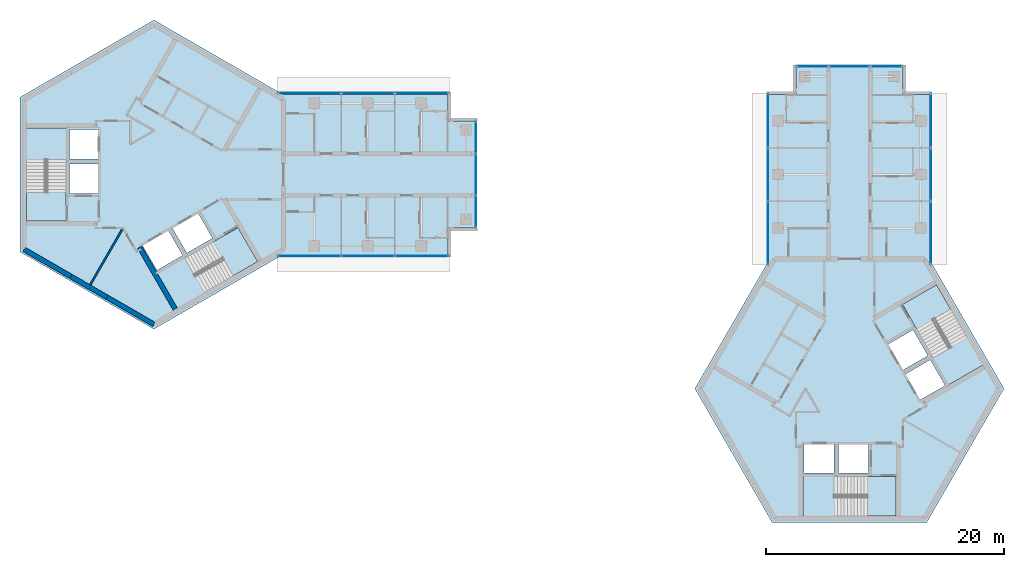
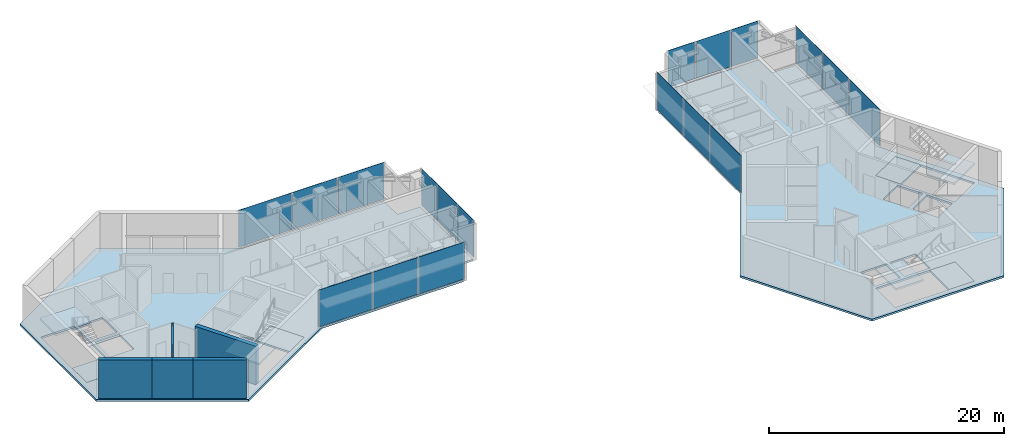
# One storey, part 4 of 11: 18 plates, 10 slabs, 5 walls, 10 elements without a shape of their own.
"""IFC4 building model written with IfcOpenShell, lengths in metres."""

import ifcopenshell
import ifcopenshell.guid

model = None  # the IFC model being written
_history = None  # IfcOwnerHistory: only IFC2X3 demands one
_inside = {}  # id of a spatial element -> (the spatial element, [elements in it])
_under = {}  # id of a project, library or spatial element -> (it, [spatial elements below it])
_declared = {}  # id of a project -> (the project, [libraries it declares])
_typed = {}  # id of a type object -> (the type object, [elements of that type])
_made_of = {}  # id of a material, layer set ... -> (it, [elements and type objects made of it])


def new_model(schema):
    """Start an empty IFC model of exactly this schema.

    Asked for "IFC4X3", IfcOpenShell would pick the latest addendum, in which some entities
    have other attributes; the version numbers below select the first issue.
    IFC2X3 requires an IfcOwnerHistory on every rooted entity: one is made here for all.
    """
    global model, _history
    if schema == "IFC4X3":
        model = ifcopenshell.file(schema_version=(4, 3, 0, 0))
    else:
        model = ifcopenshell.file(schema=schema)
    _inside.clear()
    _under.clear()
    _declared.clear()
    _typed.clear()
    _made_of.clear()
    _history = None
    if model.schema == "IFC2X3":
        org = make("IfcOrganization", Name="unknown")
        user = make(
            "IfcPersonAndOrganization",
            ThePerson=make("IfcPerson", FamilyName="unknown"),
            TheOrganization=org,
        )
        app = make(
            "IfcApplication",
            ApplicationDeveloper=org,
            Version="unknown",
            ApplicationFullName="unknown",
            ApplicationIdentifier="unknown",
        )
        _history = make(
            "IfcOwnerHistory",
            OwningUser=user,
            OwningApplication=app,
            ChangeAction="ADDED",
            CreationDate=0,
        )
    return model


def make(cls, **values):
    """One entity of the class cls with the attributes given. An attribute that is None is left unset."""
    return model.create_entity(
        cls, **{name: value for name, value in values.items() if value is not None}
    )


def rooted(cls, **values):
    """An entity with a GlobalId (a new one), such as an element, a storey or a relation."""
    return make(cls, GlobalId=ifcopenshell.guid.new(), OwnerHistory=_history, **values)


def si_unit(unit_type, name, prefix=None):
    """IfcSIUnit, for example si_unit("LENGTHUNIT", "METRE", prefix="MILLI")."""
    return make("IfcSIUnit", UnitType=unit_type, Prefix=prefix, Name=name)


def assignment(units):
    """IfcUnitAssignment: the units of a project."""
    return None if units is None else make("IfcUnitAssignment", Units=units)


def point(xyz):
    """IfcCartesianPoint."""
    return None if xyz is None else make("IfcCartesianPoint", Coordinates=xyz)


def direction(xyz):
    """IfcDirection."""
    return None if xyz is None else make("IfcDirection", DirectionRatios=xyz)


def frame(location, z_axis=None, x_axis=None):
    """IfcAxis2Placement3D, a coordinate frame: its origin and axes. An axis left out is left unset."""
    return make(
        "IfcAxis2Placement3D",
        Location=point(location),
        Axis=direction(z_axis),
        RefDirection=direction(x_axis),
    )


def frame_2d(location, x_axis=None):
    """IfcAxis2Placement2D, a coordinate frame in the plane: its origin and x axis."""
    return make(
        "IfcAxis2Placement2D", Location=point(location), RefDirection=direction(x_axis)
    )


def origin():
    """The frame at (0, 0, 0) with its axes left unset."""
    return frame((0.0, 0.0, 0.0))


def origin_2d():
    """The frame at (0, 0) in the plane with its x axis left unset."""
    return frame_2d((0.0, 0.0))


def place(relative_to, where):
    """IfcLocalPlacement: puts the frame where relative to a parent placement (None: the world)."""
    return make(
        "IfcLocalPlacement", PlacementRelTo=relative_to, RelativePlacement=where
    )


def context(
    kind, dimensions, precision=None, world=None, true_north=None, identifier=None
):
    """IfcGeometricRepresentationContext, for example the 3D "Model" context."""
    return make(
        "IfcGeometricRepresentationContext",
        ContextIdentifier=identifier,
        ContextType=kind,
        CoordinateSpaceDimension=dimensions,
        Precision=precision,
        WorldCoordinateSystem=world,
        TrueNorth=true_north,
    )


def subcontext(parent, identifier, kind, view, scale=None):
    """IfcGeometricRepresentationSubContext, for example "Body" below "Model"."""
    return make(
        "IfcGeometricRepresentationSubContext",
        ContextIdentifier=identifier,
        ContextType=kind,
        ParentContext=parent,
        TargetScale=scale,
        TargetView=view,
    )


def project(units=None, contexts=None):
    """IfcProject with its units and contexts."""
    return rooted(
        "IfcProject",
        Name="project",
        RepresentationContexts=contexts,
        UnitsInContext=assignment(units),
    )


def spatial(cls, under=None, at=None, **own):
    """A site, building, storey or space (cls), placed at a placement, below another one or the project."""
    s = rooted(cls, ObjectPlacement=at, **own)
    if under is not None:
        _under.setdefault(under.id(), (under, []))[1].append(s)
    return s


def polyline(points):
    """IfcPolyline through the points."""
    return make("IfcPolyline", Points=[point(p) for p in points])


def profile(cls, at=None, kind="AREA", **sizes):
    """A parametric profile (cls). Its sizes go by their IFC names, for example OverallWidth=200.0."""
    return make(cls, ProfileType=kind, Position=at, **sizes)


def rectangle(**sizes):
    """IfcRectangleProfileDef."""
    return profile("IfcRectangleProfileDef", **sizes)


def outline(outer, holes=None, kind="AREA"):
    """IfcArbitraryClosedProfileDef: a profile drawn as a closed curve; with holes, ...WithVoids."""
    if holes is None:
        return make("IfcArbitraryClosedProfileDef", ProfileType=kind, OuterCurve=outer)
    return make(
        "IfcArbitraryProfileDefWithVoids",
        ProfileType=kind,
        OuterCurve=outer,
        InnerCurves=holes,
    )


def extrude(swept, where, along, depth):
    """IfcExtrudedAreaSolid: the profile swept, set in the frame where, extruded along a direction by depth."""
    return make(
        "IfcExtrudedAreaSolid",
        SweptArea=swept,
        Position=where,
        ExtrudedDirection=direction(along),
        Depth=depth,
    )


def shape(context_of_items, identifier, shape_type, items):
    """IfcShapeRepresentation: the items that make up one representation, for example the "Body"."""
    return make(
        "IfcShapeRepresentation",
        ContextOfItems=context_of_items,
        RepresentationIdentifier=identifier,
        RepresentationType=shape_type,
        Items=items,
    )


def material(Name=None, Category=None):
    """IfcMaterial."""
    return make("IfcMaterial", Name=Name, Category=Category)


def layer(
    of_material, thickness, ventilated=None, Name=None, Category=None, Priority=None
):
    """IfcMaterialLayer: one layer of a wall or slab, of a material (None: an air gap)."""
    return make(
        "IfcMaterialLayer",
        Material=of_material,
        LayerThickness=thickness,
        IsVentilated=ventilated,
        Name=Name,
        Category=Category,
        Priority=Priority,
    )


def layer_set(layers, Name=None):
    """IfcMaterialLayerSet."""
    return make("IfcMaterialLayerSet", MaterialLayers=layers, LayerSetName=Name)


def made_of(thing, what):
    """Note that an element or type object is made of a material, layer set ...; save() writes the relation."""
    if what is not None:
        _made_of.setdefault(what.id(), (what, []))[1].append(thing)
    return thing


def type_object(cls, material=None, **own):
    """A type object (cls), such as IfcWallType, which elements share."""
    return made_of(rooted(cls, **own), material)


def element(
    cls,
    number,
    at=None,
    inside=None,
    cuts=None,
    type_object=None,
    material=None,
    context=None,
    identifier="Body",
    shape_type=None,
    held_by="IfcProductDefinitionShape",
    body=None,
    shapes=None,
    **own,
):
    """One element of the class cls, such as IfcWall. Its Tag is "e" and its number.

    at: its placement. inside: the storey or other place that contains it. cuts: it is an
    opening in that element (IfcRelVoidsElement). A single representation is given by context,
    identifier, shape_type and body (its items); several are given by shapes. held_by: the class
    of the entity that holds the representations. save() writes the other relations.
    """
    e = rooted(cls, Tag="e%d" % number, ObjectPlacement=at, **own)
    if body is not None:
        shapes = [shape(context, identifier, shape_type, body)]
    if shapes is not None:
        e.Representation = make(held_by, Representations=shapes)
    if inside is not None:
        _inside.setdefault(inside.id(), (inside, []))[1].append(e)
    if cuts is not None:
        rooted(
            "IfcRelVoidsElement", RelatingBuildingElement=cuts, RelatedOpeningElement=e
        )
    if type_object is not None:
        _typed.setdefault(type_object.id(), (type_object, []))[1].append(e)
    return made_of(e, material)


def aggregate(whole, parts):
    """IfcRelAggregates: a whole, such as a stair, and the parts it consists of."""
    return rooted("IfcRelAggregates", RelatingObject=whole, RelatedObjects=parts)


def save(model, path):
    """Write the relations noted so far, then the file.

    IfcRelAggregates (storeys below a building ...), IfcRelContainedInSpatialStructure (elements
    in a storey), IfcRelDefinesByType, IfcRelAssociatesMaterial and IfcRelDeclares: one each for
    every whole, place, type object, material and project.
    """
    for whole, parts in _under.values():
        aggregate(whole, parts)
    for where, things in _inside.values():
        rooted(
            "IfcRelContainedInSpatialStructure",
            RelatedElements=things,
            RelatingStructure=where,
        )
    for kind, things in _typed.values():
        rooted("IfcRelDefinesByType", RelatedObjects=things, RelatingType=kind)
    for what, things in _made_of.values():
        rooted("IfcRelAssociatesMaterial", RelatedObjects=things, RelatingMaterial=what)
    for by, libraries in _declared.values():
        rooted("IfcRelDeclares", RelatingContext=by, RelatedDefinitions=libraries)
    model.write(path)


model = new_model("IFC4")

# Units and contexts
model_context = context("Model", 3, precision=1e-05, world=origin(), true_north=direction((0.0, 1.0)))
body_context = subcontext(model_context, "Body", "Model", "MODEL_VIEW")
ifc_project = project(units=[si_unit("LENGTHUNIT", "METRE"), si_unit("AREAUNIT", "SQUARE_METRE"), si_unit("VOLUMEUNIT", "CUBIC_METRE"), si_unit("PLANEANGLEUNIT", "RADIAN"), si_unit("MASSUNIT", "GRAM", prefix="KILO")], contexts=[model_context])

# Site, building, storey
site_placement = place(None, origin())
site = spatial("IfcSite", under=ifc_project, at=site_placement, CompositionType="ELEMENT")
building_placement = place(site_placement, origin())
building = spatial("IfcBuilding", under=site, at=building_placement, Name="Upepo Twin Towers", CompositionType="ELEMENT")
storey_placement = place(building_placement, frame((0.0, 0.0, 283.5)))
storey = spatial("IfcBuildingStorey", under=building, at=storey_placement, Name="L69", CompositionType="ELEMENT", Elevation=283.5)

# Curtain wall, plates
ifc_material_1 = material(Name="Aluminium and fritted glass", Category="aluminium")
curtain_wall_type = type_object("IfcCurtainWallType", Name="Tower curtain wall TW4, fritted glass", PredefinedType="NOTDEFINED", material=ifc_material_1)
curtain_wall_1_placement = place(storey_placement, origin())
curtain_wall_1 = element("IfcCurtainWall", 1, at=curtain_wall_1_placement, inside=storey, type_object=curtain_wall_type, Name="T1 L69 wing A flank L curtain wall", PredefinedType="NOTDEFINED")
ifc_material_2 = material(Name="Ceramic-fritted laminated glass", Category="glass")
ifc_layer_1 = layer(ifc_material_2, 0.031982421875)
ifc_layer_set_1 = layer_set([ifc_layer_1], Name="Fritted glass panel, 70 per cent dot frit, 32 mm double glazed")
plate_type_1 = type_object("IfcPlateType", Name="Fritted glass panel, 70 per cent dot frit, 32 mm double glazed", PredefinedType="CURTAIN_PANEL", material=ifc_layer_set_1)
plate_1_placement = place(storey_placement, frame((13.084716796875, 6.85009765625, 0.14990234375), z_axis=(0.0, 0.0, 1.0), x_axis=(1.0, 0.0, 0.0)))
plate_1 = element("IfcPlate", 2, at=plate_1_placement, type_object=plate_type_1, Name="T1 L69 wing A flank L curtain wall panel 1", PredefinedType="CURTAIN_PANEL", context=body_context, shape_type="SweptSolid", body=[
    extrude(rectangle(XDim=5.265380859375, YDim=0.031982421875, at=origin_2d()), origin(), (0.0, 0.0, 1.0), 3.85009765625),
])
plate_2_placement = place(storey_placement, frame((18.0, 6.85009765625, 0.14990234375), z_axis=(0.0, 0.0, 1.0), x_axis=(1.0, 0.0, 0.0)))
plate_2 = element("IfcPlate", 3, at=plate_2_placement, type_object=plate_type_1, Name="T1 L69 wing A flank L curtain wall panel 2", PredefinedType="CURTAIN_PANEL", context=body_context, shape_type="SweptSolid", body=[
    extrude(rectangle(XDim=4.43505859375, YDim=0.031982421875, at=origin_2d()), origin(), (0.0, 0.0, 1.0), 3.85009765625),
])
plate_3_placement = place(storey_placement, frame((22.53369140625, 6.85009765625, 0.14990234375), z_axis=(0.0, 0.0, 1.0), x_axis=(1.0, 0.0, 0.0)))
plate_3 = element("IfcPlate", 4, at=plate_3_placement, type_object=plate_type_1, Name="T1 L69 wing A flank L curtain wall panel 3", PredefinedType="CURTAIN_PANEL", context=body_context, shape_type="SweptSolid", body=[
    extrude(rectangle(XDim=4.50244140625, YDim=0.031982421875, at=origin_2d()), origin(), (0.0, 0.0, 1.0), 3.85009765625),
])
aggregate(curtain_wall_1, [plate_1, plate_2, plate_3])

curtain_wall_2_placement = place(storey_placement, origin())
curtain_wall_2 = element("IfcCurtainWall", 5, at=curtain_wall_2_placement, inside=storey, type_object=curtain_wall_type, Name="T1 L69 wing A flank R curtain wall", PredefinedType="NOTDEFINED")
plate_4_placement = place(storey_placement, frame((22.53369140625, -6.85009765625, 0.14990234375), z_axis=(0.0, 0.0, 1.0), x_axis=(-1.0, 0.0, 0.0)))
plate_4 = element("IfcPlate", 6, at=plate_4_placement, type_object=plate_type_1, Name="T1 L69 wing A flank R curtain wall panel 1", PredefinedType="CURTAIN_PANEL", context=body_context, shape_type="SweptSolid", body=[
    extrude(rectangle(XDim=4.50244140625, YDim=0.031982421875, at=origin_2d()), origin(), (0.0, 0.0, 1.0), 3.85009765625),
])
plate_5_placement = place(storey_placement, frame((18.0, -6.85009765625, 0.14990234375), z_axis=(0.0, 0.0, 1.0), x_axis=(-1.0, 0.0, 0.0)))
plate_5 = element("IfcPlate", 7, at=plate_5_placement, type_object=plate_type_1, Name="T1 L69 wing A flank R curtain wall panel 2", PredefinedType="CURTAIN_PANEL", context=body_context, shape_type="SweptSolid", body=[
    extrude(rectangle(XDim=4.43505859375, YDim=0.031982421875, at=origin_2d()), origin(), (0.0, 0.0, 1.0), 3.85009765625),
])
plate_6_placement = place(storey_placement, frame((13.084716796875, -6.85009765625, 0.14990234375), z_axis=(0.0, 0.0, 1.0), x_axis=(-1.0, 0.0, 0.0)))
plate_6 = element("IfcPlate", 8, at=plate_6_placement, type_object=plate_type_1, Name="T1 L69 wing A flank R curtain wall panel 3", PredefinedType="CURTAIN_PANEL", context=body_context, shape_type="SweptSolid", body=[
    extrude(rectangle(XDim=5.265380859375, YDim=0.031982421875, at=origin_2d()), origin(), (0.0, 0.0, 1.0), 3.85009765625),
])
aggregate(curtain_wall_2, [plate_4, plate_5, plate_6])

# Curtain wall, plate
curtain_wall_3_placement = place(storey_placement, origin())
curtain_wall_3 = element("IfcCurtainWall", 9, at=curtain_wall_3_placement, inside=storey, type_object=curtain_wall_type, Name="T1 L69 wing A nose curtain wall", PredefinedType="NOTDEFINED")
plate_7_placement = place(storey_placement, frame((27.10009765625, 0.0, 0.14990234375), z_axis=(0.0, 0.0, 1.0), x_axis=(0.0, 1.0, 0.0)))
plate_7 = element("IfcPlate", 10, at=plate_7_placement, type_object=plate_type_1, Name="T1 L69 wing A nose curtain wall panel 2", PredefinedType="CURTAIN_PANEL", context=body_context, shape_type="SweptSolid", body=[
    extrude(rectangle(XDim=3.43505859375, YDim=0.031982421875, at=origin_2d()), origin(), (0.0, 0.0, 1.0), 3.85009765625),
])

# Curtain wall, plates
curtain_wall_4_placement = place(storey_placement, origin())
curtain_wall_4 = element("IfcCurtainWall", 11, at=curtain_wall_4_placement, inside=storey, type_object=curtain_wall_type, Name="T2 L69 wing A flank L curtain wall", PredefinedType="NOTDEFINED")
plate_8_placement = place(storey_placement, frame((51.64990234375, -4.915283203125, 0.14990234375), z_axis=(0.0, 0.0, 1.0), x_axis=(0.0, 1.0, 0.0)))
plate_8 = element("IfcPlate", 12, at=plate_8_placement, type_object=plate_type_1, Name="T2 L69 wing A flank L curtain wall panel 1", PredefinedType="CURTAIN_PANEL", context=body_context, shape_type="SweptSolid", body=[
    extrude(rectangle(XDim=5.265380859375, YDim=0.031982421875, at=origin_2d()), origin(), (0.0, 0.0, 1.0), 3.85009765625),
])
plate_9_placement = place(storey_placement, frame((51.64990234375, 0.0, 0.14990234375), z_axis=(0.0, 0.0, 1.0), x_axis=(0.0, 1.0, 0.0)))
plate_9 = element("IfcPlate", 13, at=plate_9_placement, type_object=plate_type_1, Name="T2 L69 wing A flank L curtain wall panel 2", PredefinedType="CURTAIN_PANEL", context=body_context, shape_type="SweptSolid", body=[
    extrude(rectangle(XDim=4.43505859375, YDim=0.031982421875, at=origin_2d()), origin(), (0.0, 0.0, 1.0), 3.85009765625),
])
plate_10_placement = place(storey_placement, frame((51.64990234375, 4.53369140625, 0.14990234375), z_axis=(0.0, 0.0, 1.0), x_axis=(0.0, 1.0, 0.0)))
plate_10 = element("IfcPlate", 14, at=plate_10_placement, type_object=plate_type_1, Name="T2 L69 wing A flank L curtain wall panel 3", PredefinedType="CURTAIN_PANEL", context=body_context, shape_type="SweptSolid", body=[
    extrude(rectangle(XDim=4.50244140625, YDim=0.031982421875, at=origin_2d()), origin(), (0.0, 0.0, 1.0), 3.85009765625),
])
aggregate(curtain_wall_4, [plate_8, plate_9, plate_10])

curtain_wall_5_placement = place(storey_placement, origin())
curtain_wall_5 = element("IfcCurtainWall", 15, at=curtain_wall_5_placement, inside=storey, type_object=curtain_wall_type, Name="T2 L69 wing A flank R curtain wall", PredefinedType="NOTDEFINED")
plate_11_placement = place(storey_placement, frame((65.35009765625, 4.53369140625, 0.14990234375), z_axis=(0.0, 0.0, 1.0), x_axis=(0.0, -1.0, 0.0)))
plate_11 = element("IfcPlate", 16, at=plate_11_placement, type_object=plate_type_1, Name="T2 L69 wing A flank R curtain wall panel 1", PredefinedType="CURTAIN_PANEL", context=body_context, shape_type="SweptSolid", body=[
    extrude(rectangle(XDim=4.50244140625, YDim=0.031982421875, at=origin_2d()), origin(), (0.0, 0.0, 1.0), 3.85009765625),
])
plate_12_placement = place(storey_placement, frame((65.35009765625, 0.0, 0.14990234375), z_axis=(0.0, 0.0, 1.0), x_axis=(0.0, -1.0, 0.0)))
plate_12 = element("IfcPlate", 17, at=plate_12_placement, type_object=plate_type_1, Name="T2 L69 wing A flank R curtain wall panel 2", PredefinedType="CURTAIN_PANEL", context=body_context, shape_type="SweptSolid", body=[
    extrude(rectangle(XDim=4.43505859375, YDim=0.031982421875, at=origin_2d()), origin(), (0.0, 0.0, 1.0), 3.85009765625),
])
plate_13_placement = place(storey_placement, frame((65.35009765625, -4.915283203125, 0.14990234375), z_axis=(0.0, 0.0, 1.0), x_axis=(0.0, -1.0, 0.0)))
plate_13 = element("IfcPlate", 18, at=plate_13_placement, type_object=plate_type_1, Name="T2 L69 wing A flank R curtain wall panel 3", PredefinedType="CURTAIN_PANEL", context=body_context, shape_type="SweptSolid", body=[
    extrude(rectangle(XDim=5.265380859375, YDim=0.031982421875, at=origin_2d()), origin(), (0.0, 0.0, 1.0), 3.85009765625),
])
aggregate(curtain_wall_5, [plate_11, plate_12, plate_13])

# Curtain wall, plate
curtain_wall_6_placement = place(storey_placement, origin())
curtain_wall_6 = element("IfcCurtainWall", 19, at=curtain_wall_6_placement, inside=storey, type_object=curtain_wall_type, Name="T2 L69 wing A nose curtain wall", PredefinedType="NOTDEFINED")
plate_14_placement = place(storey_placement, frame((58.5, 9.10009765625, 0.14990234375), z_axis=(0.0, 0.0, 1.0), x_axis=(-1.0, 0.0, 0.0)))
plate_14 = element("IfcPlate", 20, at=plate_14_placement, type_object=plate_type_1, Name="T2 L69 wing A nose curtain wall panel 2", PredefinedType="CURTAIN_PANEL", context=body_context, shape_type="SweptSolid", body=[
    extrude(rectangle(XDim=3.43505859375, YDim=0.031982421875, at=origin_2d()), origin(), (0.0, 0.0, 1.0), 3.85009765625),
])

# Plate
ifc_material_3 = material(Name="Clear laminated glass in opening sash", Category="glass")
ifc_layer_2 = layer(ifc_material_3, 0.031982421875)
ifc_layer_set_2 = layer_set([ifc_layer_2], Name="Operable glass panel, 32 mm double glazed")
plate_type_2 = type_object("IfcPlateType", Name="Operable glass panel, 32 mm double glazed", PredefinedType="CURTAIN_PANEL", material=ifc_layer_set_2)
plate_15_placement = place(storey_placement, frame((27.10009765625, -3.108642578125, 0.14990234375), z_axis=(0.0, 0.0, 1.0), x_axis=(0.0, 1.0, 0.0)))
plate_15 = element("IfcPlate", 21, at=plate_15_placement, type_object=plate_type_2, Name="T1 L69 wing A nose curtain wall panel 1", PredefinedType="CURTAIN_PANEL", context=body_context, shape_type="SweptSolid", body=[
    extrude(rectangle(XDim=2.652587890625, YDim=0.031982421875, at=origin_2d()), origin(), (0.0, 0.0, 1.0), 3.85009765625),
])

plate_16_placement = place(storey_placement, frame((27.10009765625, 3.108642578125, 0.14990234375), z_axis=(0.0, 0.0, 1.0), x_axis=(0.0, 1.0, 0.0)))
plate_16 = element("IfcPlate", 22, at=plate_16_placement, type_object=plate_type_2, Name="T1 L69 wing A nose curtain wall panel 3", PredefinedType="CURTAIN_PANEL", context=body_context, shape_type="SweptSolid", body=[
    extrude(rectangle(XDim=2.652587890625, YDim=0.031982421875, at=origin_2d()), origin(), (0.0, 0.0, 1.0), 3.85009765625),
])

aggregate(curtain_wall_3, [plate_15, plate_7, plate_16])

plate_17_placement = place(storey_placement, frame((61.608642578125, 9.10009765625, 0.14990234375), z_axis=(0.0, 0.0, 1.0), x_axis=(-1.0, 0.0, 0.0)))
plate_17 = element("IfcPlate", 23, at=plate_17_placement, type_object=plate_type_2, Name="T2 L69 wing A nose curtain wall panel 1", PredefinedType="CURTAIN_PANEL", context=body_context, shape_type="SweptSolid", body=[
    extrude(rectangle(XDim=2.652587890625, YDim=0.031982421875, at=origin_2d()), origin(), (0.0, 0.0, 1.0), 3.85009765625),
])

plate_18_placement = place(storey_placement, frame((55.391357421875, 9.10009765625, 0.14990234375), z_axis=(0.0, 0.0, 1.0), x_axis=(-1.0, 0.0, 0.0)))
plate_18 = element("IfcPlate", 24, at=plate_18_placement, type_object=plate_type_2, Name="T2 L69 wing A nose curtain wall panel 3", PredefinedType="CURTAIN_PANEL", context=body_context, shape_type="SweptSolid", body=[
    extrude(rectangle(XDim=2.652587890625, YDim=0.031982421875, at=origin_2d()), origin(), (0.0, 0.0, 1.0), 3.85009765625),
])

aggregate(curtain_wall_6, [plate_17, plate_14, plate_18])

# Stair, slabs
ifc_material_4 = material(Name="Concrete C40/50", Category="concrete")
stair_type = type_object("IfcStairType", Name="Core stair, two flights", PredefinedType="HALF_TURN_STAIR", material=ifc_material_4)
stair_1_placement = place(storey_placement, origin())
stair_1 = element("IfcStair", 25, at=stair_1_placement, inside=storey, type_object=stair_type, Name="T1 stair S1 L69", PredefinedType="HALF_TURN_STAIR")
ifc_material_5 = material(Name="Concrete C40/50", Category="concrete")
ifc_layer_3 = layer(ifc_material_5, 0.199951171875)
ifc_layer_set_3 = layer_set([ifc_layer_3], Name="Concrete C40/50")
slab_type_1 = type_object("IfcSlabType", Name="Stair landing 200 RC", PredefinedType="LANDING", material=ifc_layer_set_3)
slab_1_placement = place(storey_placement, frame((0.0, 0.0, -0.199951171875)))
slab_1 = element("IfcSlab", 26, at=slab_1_placement, type_object=slab_type_1, Name="Stair S1 landing 1", PredefinedType="LANDING", context=body_context, shape_type="SweptSolid", body=[
    extrude(outline(polyline([(-7.39990234375, -1.419921875), (-10.708251953125, -1.419921875), (-10.708251953125, -3.89990234375), (-7.39990234375, -3.89990234375), (-7.39990234375, -1.419921875)])), origin(), (0.0, 0.0, 1.0), 0.199951171875),
])
slab_2_placement = place(storey_placement, frame((0.0, 0.0, 1.800048828125)))
slab_2 = element("IfcSlab", 27, at=slab_2_placement, type_object=slab_type_1, Name="Stair S1 landing 2", PredefinedType="LANDING", context=body_context, shape_type="SweptSolid", body=[
    extrude(outline(polyline([(-7.300048828125, 3.89990234375), (-10.808349609375, 3.89990234375), (-10.808349609375, 1.179931640625), (-7.300048828125, 1.179931640625), (-7.300048828125, 3.89990234375)])), origin(), (0.0, 0.0, 1.0), 0.199951171875),
])
aggregate(stair_1, [slab_1, slab_2])

stair_2_placement = place(storey_placement, origin())
stair_2 = element("IfcStair", 28, at=stair_2_placement, inside=storey, type_object=stair_type, Name="T1 stair S2 L69", PredefinedType="HALF_TURN_STAIR")
slab_3_placement = place(storey_placement, frame((0.0, 0.0, -0.199951171875)))
slab_3 = element("IfcSlab", 29, at=slab_3_placement, type_object=slab_type_1, Name="Stair S2 landing 1", PredefinedType="LANDING", context=body_context, shape_type="SweptSolid", body=[
    extrude(outline(polyline([(4.9296875, -5.698486328125), (6.583984375, -8.563720703125), (8.731689453125, -7.32373046875), (7.077392578125, -4.45849609375), (4.9296875, -5.698486328125)])), origin(), (0.0, 0.0, 1.0), 0.199951171875),
])
slab_4_placement = place(storey_placement, frame((0.0, 0.0, 1.800048828125)))
slab_4 = element("IfcSlab", 30, at=slab_4_placement, type_object=slab_type_1, Name="Stair S2 landing 2", PredefinedType="LANDING", context=body_context, shape_type="SweptSolid", body=[
    extrude(outline(polyline([(0.2724609375, -8.27197265625), (2.026611328125, -11.310302734375), (4.38232421875, -9.9501953125), (2.628173828125, -6.911865234375), (0.2724609375, -8.27197265625)])), origin(), (0.0, 0.0, 1.0), 0.199951171875),
])
aggregate(stair_2, [slab_3, slab_4])

stair_3_placement = place(storey_placement, origin())
stair_3 = element("IfcStair", 31, at=stair_3_placement, inside=storey, type_object=stair_type, Name="T2 stair S1 L69", PredefinedType="HALF_TURN_STAIR")
slab_5_placement = place(storey_placement, frame((0.0, 0.0, -0.199951171875)))
slab_5 = element("IfcSlab", 32, at=slab_5_placement, type_object=slab_type_1, Name="Stair S1 landing 1", PredefinedType="LANDING", context=body_context, shape_type="SweptSolid", body=[
    extrude(outline(polyline([(59.919921875, -25.39990234375), (59.919921875, -28.708251953125), (62.39990234375, -28.708251953125), (62.39990234375, -25.39990234375), (59.919921875, -25.39990234375)])), origin(), (0.0, 0.0, 1.0), 0.199951171875),
])
slab_6_placement = place(storey_placement, frame((0.0, 0.0, 1.800048828125)))
slab_6 = element("IfcSlab", 33, at=slab_6_placement, type_object=slab_type_1, Name="Stair S1 landing 2", PredefinedType="LANDING", context=body_context, shape_type="SweptSolid", body=[
    extrude(outline(polyline([(54.60009765625, -25.300048828125), (54.60009765625, -28.808349609375), (57.320068359375, -28.808349609375), (57.320068359375, -25.300048828125), (54.60009765625, -25.300048828125)])), origin(), (0.0, 0.0, 1.0), 0.199951171875),
])
aggregate(stair_3, [slab_5, slab_6])

stair_4_placement = place(storey_placement, origin())
stair_4 = element("IfcStair", 34, at=stair_4_placement, inside=storey, type_object=stair_type, Name="T2 stair S2 L69", PredefinedType="HALF_TURN_STAIR")
slab_7_placement = place(storey_placement, frame((0.0, 0.0, -0.199951171875)))
slab_7 = element("IfcSlab", 35, at=slab_7_placement, type_object=slab_type_1, Name="Stair S2 landing 1", PredefinedType="LANDING", context=body_context, shape_type="SweptSolid", body=[
    extrude(outline(polyline([(64.198486328125, -13.0703125), (67.063720703125, -11.416015625), (65.82373046875, -9.268310546875), (62.95849609375, -10.922607421875), (64.198486328125, -13.0703125)])), origin(), (0.0, 0.0, 1.0), 0.199951171875),
])
slab_8_placement = place(storey_placement, frame((0.0, 0.0, 1.800048828125)))
slab_8 = element("IfcSlab", 36, at=slab_8_placement, type_object=slab_type_1, Name="Stair S2 landing 2", PredefinedType="LANDING", context=body_context, shape_type="SweptSolid", body=[
    extrude(outline(polyline([(66.77197265625, -17.7275390625), (69.810302734375, -15.973388671875), (68.4501953125, -13.61767578125), (65.411865234375, -15.371826171875), (66.77197265625, -17.7275390625)])), origin(), (0.0, 0.0, 1.0), 0.199951171875),
])
aggregate(stair_4, [slab_7, slab_8])

# Slabs
ifc_material_6 = material(Name="Concrete C40/50", Category="concrete")
ifc_layer_4 = layer(ifc_material_6, 0.199951171875)
ifc_layer_set_4 = layer_set([ifc_layer_4], Name="Concrete C40/50")
slab_type_2 = type_object("IfcSlabType", Name="Tower floor slab 200 RC", PredefinedType="FLOOR", material=ifc_layer_set_4)
slab_9_placement = place(storey_placement, frame((0.0, 0.0, -0.199951171875)))
element("IfcSlab", 37, at=slab_9_placement, inside=storey, type_object=slab_type_2, Name="T1 L69 floor slab", PredefinedType="FLOOR", context=body_context, shape_type="SweptSolid", body=[
    extrude(outline(polyline([(0.0, -13.0), (-11.25830078125, -6.5), (-11.25830078125, 6.5), (0.0, 13.0), (10.825439453125, 6.75), (24.75, 6.75), (24.75, 4.5), (27.0, 4.5), (27.0, -4.5), (24.75, -4.5), (24.75, -6.75), (10.825439453125, -6.75), (0.0, -13.0)]), holes=[polyline([(-4.699951171875, 3.800048828125), (-7.10009765625, 3.800048828125), (-7.10009765625, 1.300048828125), (-4.699951171875, 1.300048828125), (-4.699951171875, 3.800048828125)]), polyline([(-4.699951171875, 0.89990234375), (-7.10009765625, 0.89990234375), (-7.10009765625, -1.60009765625), (-4.699951171875, -1.60009765625), (-4.699951171875, 0.89990234375)]), polyline([(-7.39990234375, 3.89990234375), (-10.708251953125, 3.89990234375), (-10.708251953125, -3.89990234375), (-7.39990234375, -3.89990234375), (-7.39990234375, 3.89990234375)]), polyline([(-0.94091796875, -5.97021484375), (0.259033203125, -8.048828125), (2.424072265625, -6.798828125), (1.22412109375, -4.72021484375), (-0.94091796875, -5.97021484375)]), polyline([(1.570556640625, -4.520263671875), (2.7705078125, -6.598876953125), (4.935546875, -5.348876953125), (3.735595703125, -3.270263671875), (1.570556640625, -4.520263671875)]), polyline([(0.322509765625, -8.358642578125), (1.9765625, -11.2236328125), (8.731689453125, -7.32373046875), (7.077392578125, -4.45849609375), (0.322509765625, -8.358642578125)])]), origin(), (0.0, 0.0, 1.0), 0.199951171875),
])
slab_10_placement = place(storey_placement, frame((0.0, 0.0, -0.199951171875)))
element("IfcSlab", 38, at=slab_10_placement, inside=storey, type_object=slab_type_2, Name="T2 L69 floor slab", PredefinedType="FLOOR", context=body_context, shape_type="SweptSolid", body=[
    extrude(outline(polyline([(71.5, -18.0), (65.0, -29.25830078125), (52.0, -29.25830078125), (45.5, -18.0), (51.75, -7.174560546875), (51.75, 6.75), (54.0, 6.75), (54.0, 9.0), (63.0, 9.0), (63.0, 6.75), (65.25, 6.75), (65.25, -7.174560546875), (71.5, -18.0)]), holes=[polyline([(54.699951171875, -22.699951171875), (54.699951171875, -25.10009765625), (57.199951171875, -25.10009765625), (57.199951171875, -22.699951171875), (54.699951171875, -22.699951171875)]), polyline([(57.60009765625, -22.699951171875), (57.60009765625, -25.10009765625), (60.10009765625, -25.10009765625), (60.10009765625, -22.699951171875), (57.60009765625, -22.699951171875)]), polyline([(54.60009765625, -25.39990234375), (54.60009765625, -28.708251953125), (62.39990234375, -28.708251953125), (62.39990234375, -25.39990234375), (54.60009765625, -25.39990234375)]), polyline([(64.47021484375, -18.94091796875), (66.548828125, -17.740966796875), (65.298828125, -15.575927734375), (63.22021484375, -16.77587890625), (64.47021484375, -18.94091796875)]), polyline([(63.020263671875, -16.429443359375), (65.098876953125, -15.2294921875), (63.848876953125, -13.064453125), (61.770263671875, -14.264404296875), (63.020263671875, -16.429443359375)]), polyline([(66.858642578125, -17.677490234375), (69.7236328125, -16.0234375), (65.82373046875, -9.268310546875), (62.95849609375, -10.922607421875), (66.858642578125, -17.677490234375)])]), origin(), (0.0, 0.0, 1.0), 0.199951171875),
])

# Walls
ifc_material_7 = material(Name="Concrete C60/75", Category="concrete")
ifc_layer_5 = layer(ifc_material_7, 0.39990234375)
ifc_layer_set_5 = layer_set([ifc_layer_5], Name="Concrete C60/75")
wall_type_1 = type_object("IfcWallType", Name="Core wall 400 RC", PredefinedType="SHEAR", material=ifc_layer_set_5)
wall_1_placement = place(storey_placement, frame((-10.908447265625, -6.2978515625, 0.0), z_axis=(0.0, 0.0, 1.0), x_axis=(0.866034513004, -0.499984222037, 0.0)))
element("IfcWall", 39, at=wall_1_placement, inside=storey, type_object=wall_type_1, Name="T1 core wall 240 R", PredefinedType="SHEAR", context=body_context, shape_type="SweptSolid", body=[
    extrude(rectangle(XDim=4.548095703125, YDim=0.39990234375, at=frame_2d((2.27392578125, 0.0))), origin(), (0.0, 0.0, 1.0), 4.0),
])
wall_2_placement = place(storey_placement, frame((-6.9697265625, -8.57177734375, 0.0), z_axis=(0.0, 0.0, 1.0), x_axis=(0.866019471182, -0.500010275428, 0.0)))
element("IfcWall", 40, at=wall_2_placement, inside=storey, type_object=wall_type_1, Name="T1 core wall 240", PredefinedType="SHEAR", context=body_context, shape_type="SweptSolid", body=[
    extrude(rectangle(XDim=3.5, YDim=0.39990234375, at=frame_2d((1.75, 0.0))), origin(), (0.0, 0.0, 1.0), 4.0),
])
wall_3_placement = place(storey_placement, frame((-3.938720703125, -10.32177734375, 0.0), z_axis=(0.0, 0.0, 1.0), x_axis=(0.866011268655, -0.500024481964, 0.0)))
element("IfcWall", 41, at=wall_3_placement, inside=storey, type_object=wall_type_1, Name="T1 core wall 240 L", PredefinedType="SHEAR", context=body_context, shape_type="SweptSolid", body=[
    extrude(rectangle(XDim=4.548095703125, YDim=0.39990234375, at=frame_2d((2.27392578125, 0.0))), origin(), (0.0, 0.0, 1.0), 4.0),
])
ifc_material_8 = material(Name="Concrete C40/50", Category="concrete")
ifc_layer_6 = layer(ifc_material_8, 0.39990234375)
ifc_layer_set_6 = layer_set([ifc_layer_6], Name="Concrete C40/50")
wall_type_2 = type_object("IfcWallType", Name="Shaft wall 400 RC", PredefinedType="SHEAR", material=ifc_layer_set_6)
wall_4_placement = place(storey_placement, frame((-1.20068359375, -6.120361328125, 0.0), z_axis=(0.0, 0.0, 1.0), x_axis=(0.499997979876, -0.866026570101, 0.0)))
element("IfcWall", 42, at=wall_4_placement, inside=storey, type_object=wall_type_2, Name="T1 core W300 side wall S", PredefinedType="SHEAR", context=body_context, shape_type="SweptSolid", body=[
    extrude(rectangle(XDim=6.00830078125, YDim=0.39990234375, at=frame_2d((3.004150390625, 0.0))), origin(), (0.0, 0.0, 1.0), 4.0),
])
ifc_material_9 = material(Name="Gypsum board on steel studs", Category="steel")
ifc_layer_7 = layer(ifc_material_9, 0.14990234375)
ifc_layer_set_7 = layer_set([ifc_layer_7], Name="Teaching partition 150 acoustic")
wall_type_3 = type_object("IfcWallType", Name="Teaching partition 150 acoustic", PredefinedType="PARTITIONING", material=ifc_layer_set_7)
wall_5_placement = place(storey_placement, frame((-2.641357421875, -4.574951171875, 0.0), z_axis=(0.0, 0.0, 1.0), x_axis=(-0.500010688608, -0.866019232626, 0.0)))
element("IfcWall", 43, at=wall_5_placement, inside=storey, type_object=wall_type_3, Name="T1 core room partition 14", PredefinedType="PARTITIONING", context=body_context, shape_type="SweptSolid", body=[
    extrude(rectangle(XDim=5.42578125, YDim=0.14990234375, at=frame_2d((2.712890625, 0.0))), origin(), (0.0, 0.0, 1.0), 3.800048828125),
])

save(model, "model.ifc")
